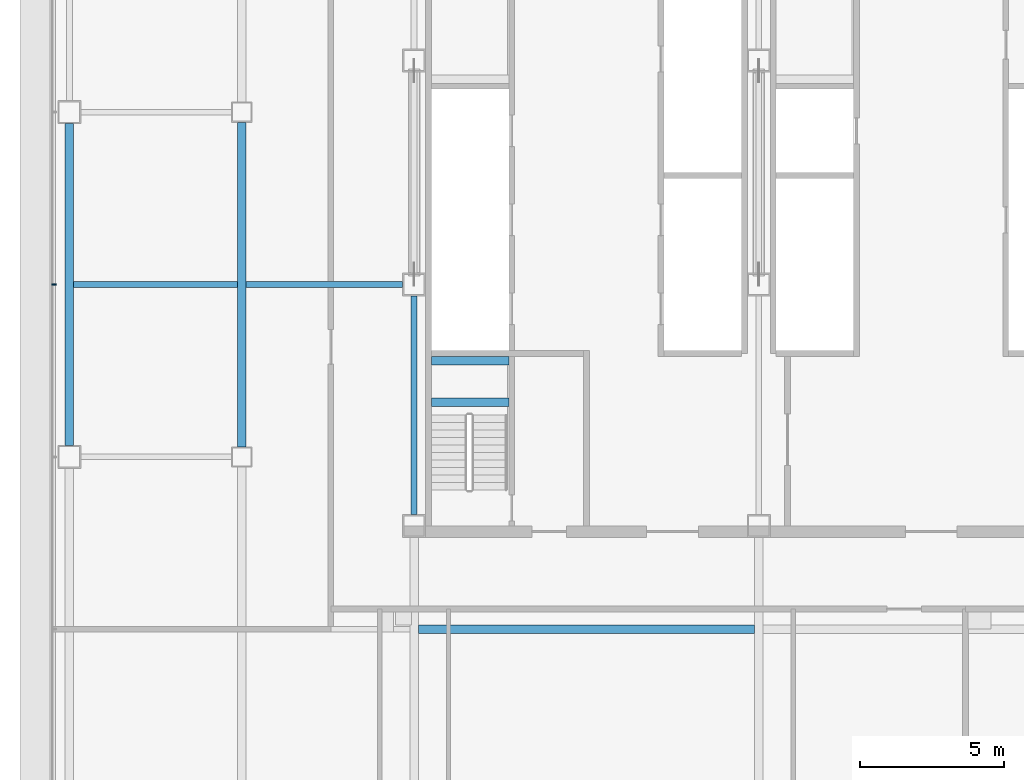
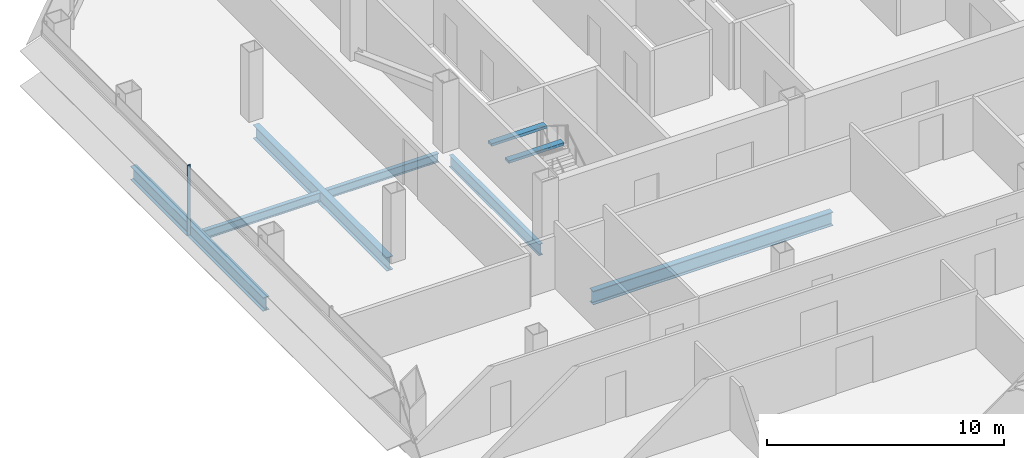
# One storey, part 6 of 25: 8 beams, 1 member, 1 element without a shape of its own.
"""IFC4 building model written with IfcOpenShell, lengths in metres."""

from ifc_helpers import new_model, si_unit, direction, frame, origin, origin_2d, place, context, subcontext, project, spatial, rectangle, i_section, extrude, material, material_profile, profile_set, type_object, element, aggregate, save


model = new_model("IFC4")

# Units and contexts
model_context = context("Model", 3, precision=1e-05, world=origin(), true_north=direction((0.0, 1.0)))
body_context = subcontext(model_context, "Body", "Model", "MODEL_VIEW")
ifc_project = project(units=[si_unit("LENGTHUNIT", "METRE"), si_unit("AREAUNIT", "SQUARE_METRE"), si_unit("VOLUMEUNIT", "CUBIC_METRE"), si_unit("PLANEANGLEUNIT", "RADIAN"), si_unit("MASSUNIT", "GRAM", prefix="KILO")], contexts=[model_context])

# Site, building, storey
site_placement = place(None, origin())
site = spatial("IfcSite", under=ifc_project, at=site_placement, CompositionType="ELEMENT")
building_placement = place(site_placement, origin())
building = spatial("IfcBuilding", under=site, at=building_placement, Name="Sorahane Residences", CompositionType="ELEMENT")
storey_placement = place(building_placement, frame((0.0, 0.0, 130.39990234375)))
storey = spatial("IfcBuildingStorey", under=building, at=storey_placement, Name="L29", CompositionType="ELEMENT", Elevation=130.39990234375)

# Curtain wall, member
ifc_material_1 = material(Name="Dark low-e glass and black anodised aluminium", Category="aluminium")
curtain_wall_type = type_object("IfcCurtainWallType", Name="Curtain wall CW-1 Typical unitised wall", PredefinedType="NOTDEFINED", material=ifc_material_1)
curtain_wall_placement = place(storey_placement, origin())
curtain_wall = element("IfcCurtainWall", 1, at=curtain_wall_placement, inside=storey, type_object=curtain_wall_type, Name="CW-1 curtain wall L29 W1", PredefinedType="NOTDEFINED")
ifc_material_2 = material(Name="Black anodised aluminium", Category="aluminium")
ifc_material_profile_1 = material_profile(ifc_material_2, rectangle(XDim=0.159912109375, YDim=0.050048828125, at=origin_2d()), Name="Curtain wall mullion CW-1 black anodised aluminium 50x160")
ifc_profile_set_1 = profile_set([ifc_material_profile_1], Name="Black anodised aluminium")
member_type = type_object("IfcMemberType", Name="Curtain wall mullion CW-1 black anodised aluminium 50x160", PredefinedType="MULLION", material=ifc_profile_set_1)
member_placement = place(storey_placement, frame((-6.5400390625, 30.0, -0.179931640625), z_axis=(0.0, 0.0, 1.0), x_axis=(-1.0, 0.0, 0.0)))
member = element("IfcMember", 2, at=member_placement, type_object=member_type, Name="CW-1 mullion L29 W1.3", PredefinedType="MULLION", context=body_context, shape_type="SweptSolid", body=[
    extrude(rectangle(XDim=0.159912109375, YDim=0.050048828125, at=origin_2d()), origin(), (0.0, 0.0, 1.0), 3.60009765625),
])
aggregate(curtain_wall, [member])

# Beams
ifc_material_3 = material(Name="Concrete C40", Category="concrete")
ifc_material_profile_2 = material_profile(ifc_material_3, rectangle(XDim=0.300048828125, YDim=0.139892578125, at=origin_2d()), Name="300x140")
ifc_profile_set_2 = profile_set([ifc_material_profile_2], Name="Concrete C40")
beam_type_1 = type_object("IfcBeamType", Name="RC landing beam 300 x 140 Concrete C40", PredefinedType="BEAM", material=ifc_profile_set_2)
for number, where, z_axis, x_axis, name in (
    (3, (6.60009765625, 25.89990234375, 1.530029296875), (1.0, 0.0, 0.0), (0.0, 1.0, 0.0), "Landing beam"),
    (4, (6.60009765625, 27.35009765625, 1.530029296875), (1.0, 0.0, 0.0), (0.0, 1.0, 0.0), "Landing beam"),
):
    element("IfcBeam", number, at=place(storey_placement, frame(where, z_axis=z_axis, x_axis=x_axis)), inside=storey, type_object=beam_type_1, Name=name, PredefinedType="BEAM", context=body_context, shape_type="SweptSolid", body=[
        extrude(rectangle(XDim=0.300048828125, YDim=0.139892578125, at=origin_2d()), origin(), (0.0, 0.0, 1.0), 2.699951171875),
    ])
ifc_material_4 = material(Name="Steel Q355B", Category="steel")
ifc_material_profile_3 = material_profile(ifc_material_4, i_section(OverallWidth=0.199951171875, OverallDepth=0.449951171875, WebThickness=0.009033203125, FlangeThickness=0.013916015625, FilletRadius=0.02001953125, at=origin_2d()), Name="HN 450x200x9x14")
ifc_profile_set_3 = profile_set([ifc_material_profile_3], Name="Steel Q355B")
beam_type_2 = type_object("IfcBeamType", Name="Steel floor beam HN 450x200x9x14 Q355B", PredefinedType="BEAM", material=ifc_profile_set_3)
beam_1_placement = place(storey_placement, frame((-5.85009765625, 30.0, -0.40478515625), z_axis=(1.0, 0.0, 0.0), x_axis=(0.0, 1.0, 0.0)))
element("IfcBeam", 5, at=beam_1_placement, inside=storey, type_object=beam_type_2, Name="Beam L29 085", PredefinedType="BEAM", context=body_context, shape_type="SweptSolid", body=[
    extrude(i_section(OverallWidth=0.199951171875, OverallDepth=0.449951171875, WebThickness=0.009033203125, FlangeThickness=0.013916015625, FilletRadius=0.02001953125, at=origin_2d()), origin(), (0.0, 0.0, 1.0), 5.7001953125),
])
beam_2_placement = place(storey_placement, frame((0.14990234375, 30.0, -0.40478515625), z_axis=(1.0, 0.0, 0.0), x_axis=(0.0, 1.0, 0.0)))
element("IfcBeam", 6, at=beam_2_placement, inside=storey, type_object=beam_type_2, Name="Beam L29 086", PredefinedType="BEAM", context=body_context, shape_type="SweptSolid", body=[
    extrude(i_section(OverallWidth=0.199951171875, OverallDepth=0.449951171875, WebThickness=0.009033203125, FlangeThickness=0.013916015625, FilletRadius=0.02001953125, at=origin_2d()), origin(), (0.0, 0.0, 1.0), 5.4501953125),
])
ifc_material_5 = material(Name="Steel Q355B", Category="steel")
ifc_material_profile_4 = material_profile(ifc_material_5, i_section(OverallWidth=0.199951171875, OverallDepth=0.60009765625, WebThickness=0.010986328125, FlangeThickness=0.01708984375, FilletRadius=0.02392578125, at=origin_2d()), Name="HN 600x200x11x17")
ifc_profile_set_4 = profile_set([ifc_material_profile_4], Name="Steel Q355B")
beam_type_3 = type_object("IfcBeamType", Name="Steel floor beam HN 600x200x11x17 Q355B", PredefinedType="BEAM", material=ifc_profile_set_4)
beam_3_placement = place(storey_placement, frame((6.0, 22.0, -0.47998046875), z_axis=(0.0, 1.0, 0.0), x_axis=(-1.0, 0.0, 0.0)))
element("IfcBeam", 7, at=beam_3_placement, inside=storey, type_object=beam_type_3, Name="Beam L29 030", PredefinedType="BEAM", context=body_context, shape_type="SweptSolid", body=[
    extrude(i_section(OverallWidth=0.199951171875, OverallDepth=0.60009765625, WebThickness=0.010986328125, FlangeThickness=0.01708984375, FilletRadius=0.02392578125, at=origin_2d()), origin(), (0.0, 0.0, 1.0), 7.60009765625),
])
ifc_material_6 = material(Name="Steel Q355B", Category="steel")
ifc_material_profile_5 = material_profile(ifc_material_6, i_section(OverallWidth=0.300048828125, OverallDepth=0.699951171875, WebThickness=0.012939453125, FlangeThickness=0.02392578125, FilletRadius=0.028076171875, at=origin_2d()), Name="HN 700x300x13x24")
ifc_profile_set_5 = profile_set([ifc_material_profile_5], Name="Steel Q355B")
beam_type_4 = type_object("IfcBeamType", Name="Steel floor beam HN 700x300x13x24 Q355B", PredefinedType="BEAM", material=ifc_profile_set_5)
beam_4_placement = place(storey_placement, frame((-6.0, 24.39990234375, -0.52978515625), z_axis=(0.0, 1.0, 0.0), x_axis=(-1.0, 0.0, 0.0)))
element("IfcBeam", 8, at=beam_4_placement, inside=storey, type_object=beam_type_4, Name="Beam L29 022", PredefinedType="BEAM", context=body_context, shape_type="SweptSolid", body=[
    extrude(i_section(OverallWidth=0.300048828125, OverallDepth=0.699951171875, WebThickness=0.012939453125, FlangeThickness=0.02392578125, FilletRadius=0.028076171875, at=origin_2d()), origin(), (0.0, 0.0, 1.0), 11.2001953125),
])
beam_5_placement = place(storey_placement, frame((0.0, 24.35009765625, -0.52978515625), z_axis=(0.0, 1.0, 0.0), x_axis=(-1.0, 0.0, 0.0)))
element("IfcBeam", 9, at=beam_5_placement, inside=storey, type_object=beam_type_4, Name="Beam L29 026", PredefinedType="BEAM", context=body_context, shape_type="SweptSolid", body=[
    extrude(i_section(OverallWidth=0.300048828125, OverallDepth=0.699951171875, WebThickness=0.012939453125, FlangeThickness=0.02392578125, FilletRadius=0.028076171875, at=origin_2d()), origin(), (0.0, 0.0, 1.0), 11.2998046875),
])
beam_6_placement = place(storey_placement, frame((6.14990234375, 18.0, -0.52978515625), z_axis=(1.0, 0.0, 0.0), x_axis=(0.0, 1.0, 0.0)))
element("IfcBeam", 10, at=beam_6_placement, inside=storey, type_object=beam_type_4, Name="Beam L29 080", PredefinedType="BEAM", context=body_context, shape_type="SweptSolid", body=[
    extrude(i_section(OverallWidth=0.300048828125, OverallDepth=0.699951171875, WebThickness=0.012939453125, FlangeThickness=0.02392578125, FilletRadius=0.028076171875, at=origin_2d()), origin(), (0.0, 0.0, 1.0), 11.7001953125),
])

save(model, "model.ifc")
